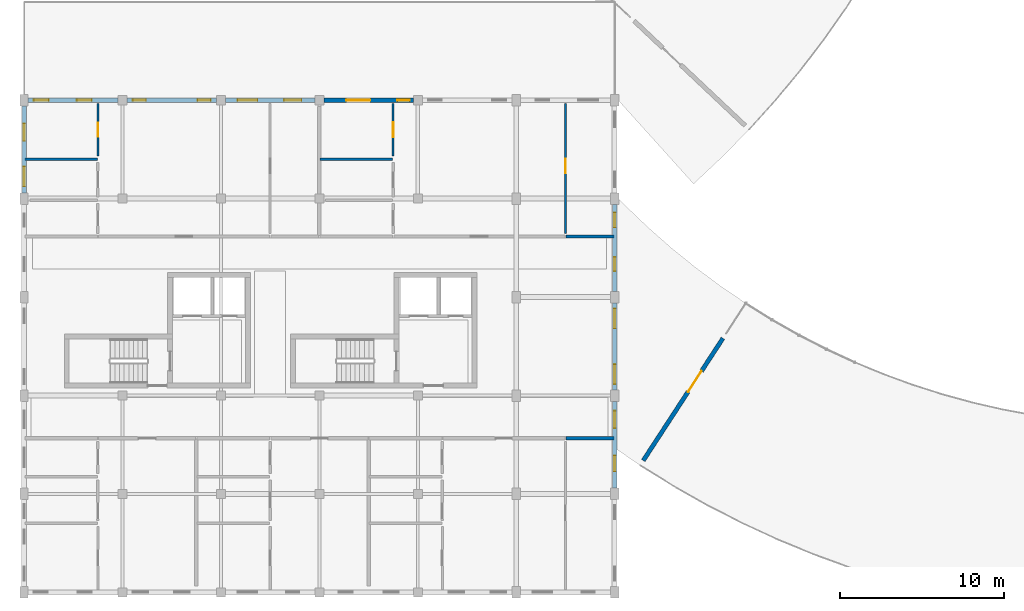
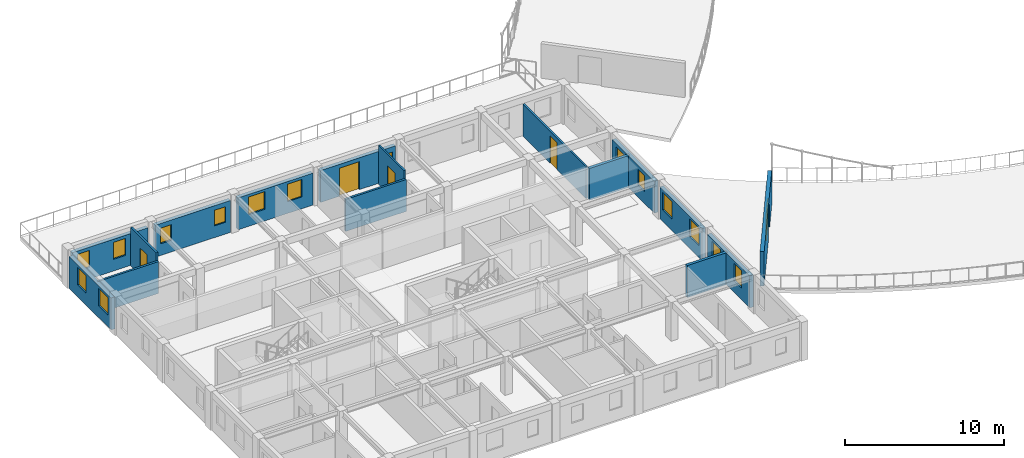
# One storey, part 28 of 58: 16 walls, 15 windows, 5 doors, 20 openings.
"""IFC4 building model written with IfcOpenShell, lengths in metres."""

from ifc_helpers import new_model, si_unit, direction, frame, frame_2d, origin, place, context, subcontext, project, spatial, rectangle, extrude, material, layer, layer_set, type_object, element, fill, save


model = new_model("IFC4")

# Units and contexts
model_context = context("Model", 3, precision=1e-05, world=origin(), true_north=direction((0.0, 1.0)))
body_context = subcontext(model_context, "Body", "Model", "MODEL_VIEW")
ifc_project = project(units=[si_unit("LENGTHUNIT", "METRE"), si_unit("AREAUNIT", "SQUARE_METRE"), si_unit("VOLUMEUNIT", "CUBIC_METRE"), si_unit("PLANEANGLEUNIT", "RADIAN"), si_unit("MASSUNIT", "GRAM", prefix="KILO"), si_unit("POWERUNIT", "WATT"), si_unit("THERMODYNAMICTEMPERATUREUNIT", "KELVIN")], contexts=[model_context])

# Site, building, storey
site_placement = place(None, origin())
site = spatial("IfcSite", under=ifc_project, at=site_placement, CompositionType="ELEMENT")
building_placement = place(site_placement, origin())
building = spatial("IfcBuilding", under=site, at=building_placement, Name="Ruvembo Vaulted Housing Court", CompositionType="ELEMENT")
storey_placement = place(building_placement, frame((0.0, 0.0, 20.5)))
storey = spatial("IfcBuildingStorey", under=building, at=storey_placement, Name="L06", CompositionType="ELEMENT", Elevation=20.5)

# Walls
ifc_material_1 = material(Name="Concrete Blockwork 200", Category="masonry")
ifc_layer_1 = layer(ifc_material_1, 0.199951171875, Name="Concrete Blockwork 200")
ifc_layer_set_1 = layer_set([ifc_layer_1], Name="Concrete Blockwork 200")
wall_type_1 = type_object("IfcWallType", Name="WL-CORR-200", PredefinedType="SOLIDWALL", material=ifc_layer_set_1)
for number, where, z_axis, x_axis, name in (
    (1, (33.0400390625, 15.39990234375, 0.0), (0.0, 0.0, 1.0), (1.0, 0.0, 0.0), "L06 Flat A-L06-S3 Corridor Wall 2 WL-INT-L06-01713"),
    (2, (33.0400390625, 27.699951171875, 0.0), (0.0, 0.0, 1.0), (1.0, 0.0, 0.0), "L06 Flat A-L06-N2 Corridor Wall 2 WL-INT-L06-01732"),
):
    element("IfcWall", number, at=place(storey_placement, frame(where, z_axis=z_axis, x_axis=x_axis)), inside=storey, type_object=wall_type_1, Name=name, PredefinedType="SOLIDWALL", context=body_context, shape_type="SweptSolid", body=[
        extrude(rectangle(XDim=2.919921875, YDim=0.199951171875, at=frame_2d((1.4599609375, 0.0))), origin(), (0.0, 0.0, 1.0), 2.451904296875),
    ])

# Wall, opening, door
ifc_material_2 = material(Name="Rendered Masonry 260", Category="masonry")
ifc_layer_2 = layer(ifc_material_2, 0.260009765625, Name="Rendered Masonry 260")
ifc_layer_set_2 = layer_set([ifc_layer_2], Name="Rendered Masonry 260")
wall_type_2 = type_object("IfcWallType", Name="WL-EXT-260", PredefinedType="STANDARD", material=ifc_layer_set_2)
wall_1_placement = place(storey_placement, frame((42.602294921875, 21.4921875, 0.0), z_axis=(0.0, 0.0, 1.0), x_axis=(-0.545946417943, -0.837820093299, 0.0)))
wall_1 = element("IfcWall", 3, at=wall_1_placement, inside=storey, type_object=wall_type_2, Name="Scoop SC2 L06 Terrace Threshold Wall", PredefinedType="STANDARD", context=body_context, shape_type="SweptSolid", body=[
    extrude(rectangle(XDim=8.89990234375, YDim=0.260009765625, at=frame_2d((4.449951171875, 0.0))), origin(), (0.0, 0.0, 1.0), 2.64990234375),
])
opening_1_placement = place(wall_1_placement, frame((2.39990234375, 0.0, 0.0)))
opening_1 = element("IfcOpeningElement", 4, at=opening_1_placement, cuts=wall_1, Name="Opening TD1", PredefinedType="OPENING", context=body_context, shape_type="SweptSolid", body=[
    extrude(rectangle(XDim=1.5, YDim=2.14990234375, at=frame_2d((0.75, 1.074951171875))), frame((0.0, 0.139892578125, 0.0), z_axis=(0.0, -1.0, 0.0), x_axis=(1.0, 0.0, 0.0)), (0.0, 0.0, 1.0), 0.280029296875),
])
ifc_material_3 = material(Name="Thermally Broken Glazed Aluminium", Category="aluminium")
door_type_1 = type_object("IfcDoorType", Name="DR-TER-1500x2150", OperationType="NOTDEFINED", PredefinedType="DOOR", material=ifc_material_3)
door_1_placement = place(opening_1_placement, origin())
door_1 = element("IfcDoor", 5, at=door_1_placement, inside=storey, type_object=door_type_1, Name="Scoop SC2 L06 Roof Terrace Access Door", OperationType="SINGLE_SWING_RIGHT", OverallHeight=2.14990234375, OverallWidth=1.5, PredefinedType="DOOR", context=body_context, shape_type="SweptSolid", body=[
    extrude(rectangle(XDim=1.5, YDim=2.14990234375, at=frame_2d((0.75, 1.074951171875))), frame((0.0, 0.02490234375, 0.0), z_axis=(0.0, -1.0, 0.0), x_axis=(1.0, 0.0, 0.0)), (0.0, 0.0, 1.0), 0.050048828125),
])
fill(opening_1, door_1)

# Wall, openings, windows
ifc_material_4 = material(Name="Rendered Masonry 270", Category="masonry")
ifc_layer_3 = layer(ifc_material_4, 0.27001953125, Name="Rendered Masonry 270")
ifc_layer_set_3 = layer_set([ifc_layer_3], Name="Rendered Masonry 270")
wall_type_3 = type_object("IfcWallType", Name="WL-EXT-270", PredefinedType="STANDARD", material=ifc_layer_set_3)
wall_2_placement = place(storey_placement, frame((36.0, 12.35009765625, 0.0), z_axis=(0.0, 0.0, 1.0), x_axis=(0.0, 1.0, 0.0)))
wall_2 = element("IfcWall", 6, at=wall_2_placement, inside=storey, type_object=wall_type_3, Name="Block A L06 Exterior Wall EAST #2", PredefinedType="STANDARD", context=body_context, shape_type="SweptSolid", body=[
    extrude(rectangle(XDim=5.2998046875, YDim=0.27001953125, at=frame_2d((2.64990234375, 0.0))), origin(), (0.0, 0.0, 1.0), 2.451904296875),
])
opening_2_placement = place(wall_2_placement, frame((1.030029296875, 0.0, 0.89990234375)))
opening_2 = element("IfcOpeningElement", 7, at=opening_2_placement, cuts=wall_2, Name="Opening W07", PredefinedType="OPENING", context=body_context, shape_type="SweptSolid", body=[
    extrude(rectangle(XDim=0.949951171875, YDim=1.35009765625, at=frame_2d((0.47509765625, 0.675048828125))), frame((0.0, 0.14501953125, 0.0), z_axis=(0.0, -1.0, 0.0), x_axis=(1.0, 0.0, 0.0)), (0.0, 0.0, 1.0), 0.2900390625),
])
opening_3_placement = place(wall_2_placement, frame((3.669921875, 0.0, 0.89990234375)))
opening_3 = element("IfcOpeningElement", 8, at=opening_3_placement, cuts=wall_2, Name="Opening W09", PredefinedType="OPENING", context=body_context, shape_type="SweptSolid", body=[
    extrude(rectangle(XDim=1.050048828125, YDim=1.35009765625, at=frame_2d((0.52490234375, 0.675048828125))), frame((0.0, 0.14501953125, 0.0), z_axis=(0.0, -1.0, 0.0), x_axis=(1.0, 0.0, 0.0)), (0.0, 0.0, 1.0), 0.2900390625),
])
ifc_material_5 = material(Name="Double Solar-Control Glazing in Aluminium Frame", Category="aluminium")
window_type_1 = type_object("IfcWindowType", Name="WIN-0950x1350", PartitioningType="SINGLE_PANEL", PredefinedType="WINDOW", material=ifc_material_5)
window_1_placement = place(opening_2_placement, origin())
window_1 = element("IfcWindow", 9, at=window_1_placement, inside=storey, type_object=window_type_1, Name="Block A L06 Window #267", OverallHeight=1.35009765625, OverallWidth=0.949951171875, PartitioningType="SINGLE_PANEL", PredefinedType="WINDOW", context=body_context, shape_type="SweptSolid", body=[
    extrude(rectangle(XDim=0.949951171875, YDim=1.35009765625, at=frame_2d((0.47509765625, 0.675048828125))), frame((0.0, 0.030029296875, 0.0), z_axis=(0.0, -1.0, 0.0), x_axis=(1.0, 0.0, 0.0)), (0.0, 0.0, 1.0), 0.06005859375),
])
fill(opening_2, window_1)
window_type_2 = type_object("IfcWindowType", Name="WIN-1050x1350", PartitioningType="SINGLE_PANEL", PredefinedType="WINDOW", material=ifc_material_5)
window_2_placement = place(opening_3_placement, origin())
window_2 = element("IfcWindow", 10, at=window_2_placement, inside=storey, type_object=window_type_2, Name="Block A L06 Window #268", OverallHeight=1.35009765625, OverallWidth=1.050048828125, PartitioningType="SINGLE_PANEL", PredefinedType="WINDOW", context=body_context, shape_type="SweptSolid", body=[
    extrude(rectangle(XDim=1.050048828125, YDim=1.35009765625, at=frame_2d((0.52490234375, 0.675048828125))), frame((0.0, 0.030029296875, 0.0), z_axis=(0.0, -1.0, 0.0), x_axis=(1.0, 0.0, 0.0)), (0.0, 0.0, 1.0), 0.06005859375),
])
fill(opening_3, window_2)

wall_3_placement = place(storey_placement, frame((36.0, 18.35009765625, 0.0), z_axis=(0.0, 0.0, 1.0), x_axis=(0.0, 1.0, 0.0)))
wall_3 = element("IfcWall", 11, at=wall_3_placement, inside=storey, type_object=wall_type_3, Name="Block A L06 Exterior Wall EAST #3", PredefinedType="STANDARD", context=body_context, shape_type="SweptSolid", body=[
    extrude(rectangle(XDim=5.2998046875, YDim=0.27001953125, at=frame_2d((2.64990234375, 0.0))), origin(), (0.0, 0.0, 1.0), 2.451904296875),
])
opening_4_placement = place(wall_3_placement, frame((0.35009765625, 0.0, 0.89990234375)))
opening_4 = element("IfcOpeningElement", 12, at=opening_4_placement, cuts=wall_3, Name="Opening W12", PredefinedType="OPENING", context=body_context, shape_type="SweptSolid", body=[
    extrude(rectangle(XDim=1.199951171875, YDim=1.35009765625, at=frame_2d((0.60009765625, 0.675048828125))), frame((0.0, 0.14501953125, 0.0), z_axis=(0.0, -1.0, 0.0), x_axis=(1.0, 0.0, 0.0)), (0.0, 0.0, 1.0), 0.2900390625),
])
opening_5_placement = place(wall_3_placement, frame((3.75, 0.0, 0.89990234375)))
opening_5 = element("IfcOpeningElement", 13, at=opening_5_placement, cuts=wall_3, Name="Opening W12", PredefinedType="OPENING", context=body_context, shape_type="SweptSolid", body=[
    extrude(rectangle(XDim=1.199951171875, YDim=1.35009765625, at=frame_2d((0.60009765625, 0.675048828125))), frame((0.0, 0.14501953125, 0.0), z_axis=(0.0, -1.0, 0.0), x_axis=(1.0, 0.0, 0.0)), (0.0, 0.0, 1.0), 0.2900390625),
])
window_type_3 = type_object("IfcWindowType", Name="WIN-1200x1350", PartitioningType="SINGLE_PANEL", PredefinedType="WINDOW", material=ifc_material_5)
window_3_placement = place(opening_4_placement, origin())
window_3 = element("IfcWindow", 14, at=window_3_placement, inside=storey, type_object=window_type_3, Name="Block A L06 Window #269", OverallHeight=1.35009765625, OverallWidth=1.199951171875, PartitioningType="SINGLE_PANEL", PredefinedType="WINDOW", context=body_context, shape_type="SweptSolid", body=[
    extrude(rectangle(XDim=1.199951171875, YDim=1.35009765625, at=frame_2d((0.60009765625, 0.675048828125))), frame((0.0, 0.030029296875, 0.0), z_axis=(0.0, -1.0, 0.0), x_axis=(1.0, 0.0, 0.0)), (0.0, 0.0, 1.0), 0.06005859375),
])
fill(opening_4, window_3)
window_4_placement = place(opening_5_placement, origin())
window_4 = element("IfcWindow", 15, at=window_4_placement, inside=storey, type_object=window_type_3, Name="Block A L06 Window #270", OverallHeight=1.35009765625, OverallWidth=1.199951171875, PartitioningType="SINGLE_PANEL", PredefinedType="WINDOW", context=body_context, shape_type="SweptSolid", body=[
    extrude(rectangle(XDim=1.199951171875, YDim=1.35009765625, at=frame_2d((0.60009765625, 0.675048828125))), frame((0.0, 0.030029296875, 0.0), z_axis=(0.0, -1.0, 0.0), x_axis=(1.0, 0.0, 0.0)), (0.0, 0.0, 1.0), 0.06005859375),
])
fill(opening_5, window_4)

wall_4_placement = place(storey_placement, frame((36.0, 24.35009765625, 0.0), z_axis=(0.0, 0.0, 1.0), x_axis=(0.0, 1.0, 0.0)))
wall_4 = element("IfcWall", 16, at=wall_4_placement, inside=storey, type_object=wall_type_3, Name="Block A L06 Exterior Wall EAST #4", PredefinedType="STANDARD", context=body_context, shape_type="SweptSolid", body=[
    extrude(rectangle(XDim=5.2998046875, YDim=0.27001953125, at=frame_2d((2.64990234375, 0.0))), origin(), (0.0, 0.0, 1.0), 2.451904296875),
])
opening_6_placement = place(wall_4_placement, frame((1.22998046875, 0.0, 0.89990234375)))
opening_6 = element("IfcOpeningElement", 17, at=opening_6_placement, cuts=wall_4, Name="Opening W03", PredefinedType="OPENING", context=body_context, shape_type="SweptSolid", body=[
    extrude(rectangle(XDim=0.85009765625, YDim=1.25, at=frame_2d((0.425048828125, 0.625))), frame((0.0, 0.14501953125, 0.0), z_axis=(0.0, -1.0, 0.0), x_axis=(1.0, 0.0, 0.0)), (0.0, 0.0, 1.0), 0.2900390625),
])
opening_7_placement = place(wall_4_placement, frame((3.89501953125, 0.0, 0.89990234375)))
opening_7 = element("IfcOpeningElement", 18, at=opening_7_placement, cuts=wall_4, Name="Opening W04", PredefinedType="OPENING", context=body_context, shape_type="SweptSolid", body=[
    extrude(rectangle(XDim=0.89990234375, YDim=1.300048828125, at=frame_2d((0.449951171875, 0.64990234375))), frame((0.0, 0.14501953125, 0.0), z_axis=(0.0, -1.0, 0.0), x_axis=(1.0, 0.0, 0.0)), (0.0, 0.0, 1.0), 0.2900390625),
])
window_type_4 = type_object("IfcWindowType", Name="WIN-0850x1250", PartitioningType="SINGLE_PANEL", PredefinedType="WINDOW", material=ifc_material_5)
window_5_placement = place(opening_6_placement, origin())
window_5 = element("IfcWindow", 19, at=window_5_placement, inside=storey, type_object=window_type_4, Name="Block A L06 Window #271", OverallHeight=1.25, OverallWidth=0.85009765625, PartitioningType="SINGLE_PANEL", PredefinedType="WINDOW", context=body_context, shape_type="SweptSolid", body=[
    extrude(rectangle(XDim=0.85009765625, YDim=1.25, at=frame_2d((0.425048828125, 0.625))), frame((0.0, 0.030029296875, 0.0), z_axis=(0.0, -1.0, 0.0), x_axis=(1.0, 0.0, 0.0)), (0.0, 0.0, 1.0), 0.06005859375),
])
fill(opening_6, window_5)
window_type_5 = type_object("IfcWindowType", Name="WIN-0900x1300", PartitioningType="SINGLE_PANEL", PredefinedType="WINDOW", material=ifc_material_5)
window_6_placement = place(opening_7_placement, origin())
window_6 = element("IfcWindow", 20, at=window_6_placement, inside=storey, type_object=window_type_5, Name="Block A L06 Window #272", OverallHeight=1.300048828125, OverallWidth=0.89990234375, PartitioningType="SINGLE_PANEL", PredefinedType="WINDOW", context=body_context, shape_type="SweptSolid", body=[
    extrude(rectangle(XDim=0.89990234375, YDim=1.300048828125, at=frame_2d((0.449951171875, 0.64990234375))), frame((0.0, 0.030029296875, 0.0), z_axis=(0.0, -1.0, 0.0), x_axis=(1.0, 0.0, 0.0)), (0.0, 0.0, 1.0), 0.06005859375),
])
fill(opening_7, window_6)

# Wall, openings, door, window
wall_5_placement = place(storey_placement, frame((23.72509765625, 36.0, 0.0), z_axis=(0.0, 0.0, 1.0), x_axis=(-1.0, 0.0, 0.0)))
wall_5 = element("IfcWall", 21, at=wall_5_placement, inside=storey, type_object=wall_type_3, Name="Block A L06 Exterior Wall COURTYARD #3", PredefinedType="STANDARD", context=body_context, shape_type="SweptSolid", body=[
    extrude(rectangle(XDim=5.4501953125, YDim=0.27001953125, at=frame_2d((2.72509765625, 0.0))), origin(), (0.0, 0.0, 1.0), 2.451904296875),
])
opening_8_placement = place(wall_5_placement, frame((2.632568359375, 0.0, 0.0)))
opening_8 = element("IfcOpeningElement", 22, at=opening_8_placement, cuts=wall_5, Name="Opening TD0", PredefinedType="OPENING", context=body_context, shape_type="SweptSolid", body=[
    extrude(rectangle(XDim=1.449951171875, YDim=2.14990234375, at=frame_2d((0.72509765625, 1.074951171875))), frame((0.0, 0.14501953125, 0.0), z_axis=(0.0, -1.0, 0.0), x_axis=(1.0, 0.0, 0.0)), (0.0, 0.0, 1.0), 0.2900390625),
])
opening_9_placement = place(wall_5_placement, frame((0.217529296875, 0.0, 0.89990234375)))
opening_9 = element("IfcOpeningElement", 23, at=opening_9_placement, cuts=wall_5, Name="Opening W01", PredefinedType="OPENING", context=body_context, shape_type="SweptSolid", body=[
    extrude(rectangle(XDim=0.75, YDim=1.14990234375, at=frame_2d((0.375, 0.574951171875))), frame((0.0, 0.14501953125, 0.0), z_axis=(0.0, -1.0, 0.0), x_axis=(1.0, 0.0, 0.0)), (0.0, 0.0, 1.0), 0.2900390625),
])
door_type_2 = type_object("IfcDoorType", Name="DR-TER-1450x2150", OperationType="NOTDEFINED", PredefinedType="DOOR", material=ifc_material_3)
door_2_placement = place(opening_8_placement, frame((1.449951171875, 0.0, 0.0), z_axis=(0.0, 0.0, 1.0), x_axis=(-1.0, 0.0, 0.0)))
door_2 = element("IfcDoor", 24, at=door_2_placement, inside=storey, type_object=door_type_2, Name="Block A L06 Terrace or Gallery Door DR-TER-A-L06-023", OperationType="SINGLE_SWING_RIGHT", OverallHeight=2.14990234375, OverallWidth=1.449951171875, PredefinedType="DOOR", context=body_context, shape_type="SweptSolid", body=[
    extrude(rectangle(XDim=1.449951171875, YDim=2.14990234375, at=frame_2d((0.72509765625, 1.074951171875))), frame((0.0, 0.02490234375, 0.0), z_axis=(0.0, -1.0, 0.0), x_axis=(1.0, 0.0, 0.0)), (0.0, 0.0, 1.0), 0.050048828125),
])
fill(opening_8, door_2)
window_type_6 = type_object("IfcWindowType", Name="WIN-0750x1150", PartitioningType="SINGLE_PANEL", PredefinedType="WINDOW", material=ifc_material_5)
window_7_placement = place(opening_9_placement, origin())
window_7 = element("IfcWindow", 25, at=window_7_placement, inside=storey, type_object=window_type_6, Name="Block A L06 Window #279", OverallHeight=1.14990234375, OverallWidth=0.75, PartitioningType="SINGLE_PANEL", PredefinedType="WINDOW", context=body_context, shape_type="SweptSolid", body=[
    extrude(rectangle(XDim=0.75, YDim=1.14990234375, at=frame_2d((0.375, 0.574951171875))), frame((0.0, 0.030029296875, 0.0), z_axis=(0.0, -1.0, 0.0), x_axis=(1.0, 0.0, 0.0)), (0.0, 0.0, 1.0), 0.06005859375),
])
fill(opening_9, window_7)

# Wall, openings, windows
wall_6_placement = place(storey_placement, frame((17.72509765625, 36.0, 0.0), z_axis=(0.0, 0.0, 1.0), x_axis=(-1.0, 0.0, 0.0)))
wall_6 = element("IfcWall", 26, at=wall_6_placement, inside=storey, type_object=wall_type_3, Name="Block A L06 Exterior Wall COURTYARD #4", PredefinedType="STANDARD", context=body_context, shape_type="SweptSolid", body=[
    extrude(rectangle(XDim=5.4501953125, YDim=0.27001953125, at=frame_2d((2.72509765625, 0.0))), origin(), (0.0, 0.0, 1.0), 2.451904296875),
])
opening_10_placement = place(wall_6_placement, frame((0.8173828125, 0.0, 0.89990234375)))
opening_10 = element("IfcOpeningElement", 27, at=opening_10_placement, cuts=wall_6, Name="Opening W09", PredefinedType="OPENING", context=body_context, shape_type="SweptSolid", body=[
    extrude(rectangle(XDim=1.050048828125, YDim=1.35009765625, at=frame_2d((0.52490234375, 0.675048828125))), frame((0.0, 0.14501953125, 0.0), z_axis=(0.0, -1.0, 0.0), x_axis=(1.0, 0.0, 0.0)), (0.0, 0.0, 1.0), 0.2900390625),
])
opening_11_placement = place(wall_6_placement, frame((3.507568359375, 0.0, 0.89990234375)))
opening_11 = element("IfcOpeningElement", 28, at=opening_11_placement, cuts=wall_6, Name="Opening W12", PredefinedType="OPENING", context=body_context, shape_type="SweptSolid", body=[
    extrude(rectangle(XDim=1.199951171875, YDim=1.35009765625, at=frame_2d((0.60009765625, 0.675048828125))), frame((0.0, 0.14501953125, 0.0), z_axis=(0.0, -1.0, 0.0), x_axis=(1.0, 0.0, 0.0)), (0.0, 0.0, 1.0), 0.2900390625),
])
window_8_placement = place(opening_10_placement, origin())
window_8 = element("IfcWindow", 29, at=window_8_placement, inside=storey, type_object=window_type_2, Name="Block A L06 Window #280", OverallHeight=1.35009765625, OverallWidth=1.050048828125, PartitioningType="SINGLE_PANEL", PredefinedType="WINDOW", context=body_context, shape_type="SweptSolid", body=[
    extrude(rectangle(XDim=1.050048828125, YDim=1.35009765625, at=frame_2d((0.52490234375, 0.675048828125))), frame((0.0, 0.030029296875, 0.0), z_axis=(0.0, -1.0, 0.0), x_axis=(1.0, 0.0, 0.0)), (0.0, 0.0, 1.0), 0.06005859375),
])
fill(opening_10, window_8)
window_9_placement = place(opening_11_placement, origin())
window_9 = element("IfcWindow", 30, at=window_9_placement, inside=storey, type_object=window_type_3, Name="Block A L06 Window #281", OverallHeight=1.35009765625, OverallWidth=1.199951171875, PartitioningType="SINGLE_PANEL", PredefinedType="WINDOW", context=body_context, shape_type="SweptSolid", body=[
    extrude(rectangle(XDim=1.199951171875, YDim=1.35009765625, at=frame_2d((0.60009765625, 0.675048828125))), frame((0.0, 0.030029296875, 0.0), z_axis=(0.0, -1.0, 0.0), x_axis=(1.0, 0.0, 0.0)), (0.0, 0.0, 1.0), 0.06005859375),
])
fill(opening_11, window_9)

wall_7_placement = place(storey_placement, frame((11.72509765625, 36.0, 0.0), z_axis=(0.0, 0.0, 1.0), x_axis=(-1.0, 0.0, 0.0)))
wall_7 = element("IfcWall", 31, at=wall_7_placement, inside=storey, type_object=wall_type_3, Name="Block A L06 Exterior Wall COURTYARD #5", PredefinedType="STANDARD", context=body_context, shape_type="SweptSolid", body=[
    extrude(rectangle(XDim=5.4501953125, YDim=0.27001953125, at=frame_2d((2.72509765625, 0.0))), origin(), (0.0, 0.0, 1.0), 2.451904296875),
])
opening_12_placement = place(wall_7_placement, frame((0.35009765625, 0.0, 0.89990234375)))
opening_12 = element("IfcOpeningElement", 32, at=opening_12_placement, cuts=wall_7, Name="Opening W02", PredefinedType="OPENING", context=body_context, shape_type="SweptSolid", body=[
    extrude(rectangle(XDim=0.800048828125, YDim=1.199951171875, at=frame_2d((0.39990234375, 0.60009765625))), frame((0.0, 0.14501953125, 0.0), z_axis=(0.0, -1.0, 0.0), x_axis=(1.0, 0.0, 0.0)), (0.0, 0.0, 1.0), 0.2900390625),
])
opening_13_placement = place(wall_7_placement, frame((4.300048828125, 0.0, 0.89990234375)))
opening_13 = element("IfcOpeningElement", 33, at=opening_13_placement, cuts=wall_7, Name="Opening W02", PredefinedType="OPENING", context=body_context, shape_type="SweptSolid", body=[
    extrude(rectangle(XDim=0.800048828125, YDim=1.199951171875, at=frame_2d((0.39990234375, 0.60009765625))), frame((0.0, 0.14501953125, 0.0), z_axis=(0.0, -1.0, 0.0), x_axis=(1.0, 0.0, 0.0)), (0.0, 0.0, 1.0), 0.2900390625),
])
window_type_7 = type_object("IfcWindowType", Name="WIN-0800x1200", PartitioningType="SINGLE_PANEL", PredefinedType="WINDOW", material=ifc_material_5)
window_10_placement = place(opening_12_placement, origin())
window_10 = element("IfcWindow", 34, at=window_10_placement, inside=storey, type_object=window_type_7, Name="Block A L06 Window #282", OverallHeight=1.199951171875, OverallWidth=0.800048828125, PartitioningType="SINGLE_PANEL", PredefinedType="WINDOW", context=body_context, shape_type="SweptSolid", body=[
    extrude(rectangle(XDim=0.800048828125, YDim=1.199951171875, at=frame_2d((0.39990234375, 0.60009765625))), frame((0.0, 0.030029296875, 0.0), z_axis=(0.0, -1.0, 0.0), x_axis=(1.0, 0.0, 0.0)), (0.0, 0.0, 1.0), 0.06005859375),
])
fill(opening_12, window_10)
window_11_placement = place(opening_13_placement, origin())
window_11 = element("IfcWindow", 35, at=window_11_placement, inside=storey, type_object=window_type_7, Name="Block A L06 Window #283", OverallHeight=1.199951171875, OverallWidth=0.800048828125, PartitioningType="SINGLE_PANEL", PredefinedType="WINDOW", context=body_context, shape_type="SweptSolid", body=[
    extrude(rectangle(XDim=0.800048828125, YDim=1.199951171875, at=frame_2d((0.39990234375, 0.60009765625))), frame((0.0, 0.030029296875, 0.0), z_axis=(0.0, -1.0, 0.0), x_axis=(1.0, 0.0, 0.0)), (0.0, 0.0, 1.0), 0.06005859375),
])
fill(opening_13, window_11)

wall_8_placement = place(storey_placement, frame((5.72509765625, 36.0, 0.0), z_axis=(0.0, 0.0, 1.0), x_axis=(-1.0, 0.0, 0.0)))
wall_8 = element("IfcWall", 36, at=wall_8_placement, inside=storey, type_object=wall_type_3, Name="Block A L06 Exterior Wall COURTYARD #6", PredefinedType="STANDARD", context=body_context, shape_type="SweptSolid", body=[
    extrude(rectangle(XDim=5.47509765625, YDim=0.27001953125, at=frame_2d((2.737548828125, 0.0))), origin(), (0.0, 0.0, 1.0), 2.451904296875),
])
opening_14_placement = place(wall_8_placement, frame((1.614990234375, 0.0, 0.89990234375)))
opening_14 = element("IfcOpeningElement", 37, at=opening_14_placement, cuts=wall_8, Name="Opening W04", PredefinedType="OPENING", context=body_context, shape_type="SweptSolid", body=[
    extrude(rectangle(XDim=0.89990234375, YDim=1.300048828125, at=frame_2d((0.449951171875, 0.64990234375))), frame((0.0, 0.14501953125, 0.0), z_axis=(0.0, -1.0, 0.0), x_axis=(1.0, 0.0, 0.0)), (0.0, 0.0, 1.0), 0.2900390625),
])
opening_15_placement = place(wall_8_placement, frame((4.22509765625, 0.0, 0.89990234375)))
opening_15 = element("IfcOpeningElement", 38, at=opening_15_placement, cuts=wall_8, Name="Opening W04", PredefinedType="OPENING", context=body_context, shape_type="SweptSolid", body=[
    extrude(rectangle(XDim=0.89990234375, YDim=1.300048828125, at=frame_2d((0.449951171875, 0.64990234375))), frame((0.0, 0.14501953125, 0.0), z_axis=(0.0, -1.0, 0.0), x_axis=(1.0, 0.0, 0.0)), (0.0, 0.0, 1.0), 0.2900390625),
])
window_12_placement = place(opening_14_placement, origin())
window_12 = element("IfcWindow", 39, at=window_12_placement, inside=storey, type_object=window_type_5, Name="Block A L06 Window #284", OverallHeight=1.300048828125, OverallWidth=0.89990234375, PartitioningType="SINGLE_PANEL", PredefinedType="WINDOW", context=body_context, shape_type="SweptSolid", body=[
    extrude(rectangle(XDim=0.89990234375, YDim=1.300048828125, at=frame_2d((0.449951171875, 0.64990234375))), frame((0.0, 0.030029296875, 0.0), z_axis=(0.0, -1.0, 0.0), x_axis=(1.0, 0.0, 0.0)), (0.0, 0.0, 1.0), 0.06005859375),
])
fill(opening_14, window_12)
window_13_placement = place(opening_15_placement, origin())
window_13 = element("IfcWindow", 40, at=window_13_placement, inside=storey, type_object=window_type_5, Name="Block A L06 Window #285", OverallHeight=1.300048828125, OverallWidth=0.89990234375, PartitioningType="SINGLE_PANEL", PredefinedType="WINDOW", context=body_context, shape_type="SweptSolid", body=[
    extrude(rectangle(XDim=0.89990234375, YDim=1.300048828125, at=frame_2d((0.449951171875, 0.64990234375))), frame((0.0, 0.030029296875, 0.0), z_axis=(0.0, -1.0, 0.0), x_axis=(1.0, 0.0, 0.0)), (0.0, 0.0, 1.0), 0.06005859375),
])
fill(opening_15, window_13)

wall_9_placement = place(storey_placement, frame((0.0, 35.64990234375, 0.0), z_axis=(0.0, 0.0, 1.0), x_axis=(0.0, -1.0, 0.0)))
wall_9 = element("IfcWall", 41, at=wall_9_placement, inside=storey, type_object=wall_type_3, Name="Block A L06 Exterior Wall WEST #1", PredefinedType="STANDARD", context=body_context, shape_type="SweptSolid", body=[
    extrude(rectangle(XDim=5.2998046875, YDim=0.27001953125, at=frame_2d((2.64990234375, 0.0))), origin(), (0.0, 0.0, 1.0), 2.451904296875),
])
opening_16_placement = place(wall_9_placement, frame((1.080078125, 0.0, 0.89990234375)))
opening_16 = element("IfcOpeningElement", 42, at=opening_16_placement, cuts=wall_9, Name="Opening W09", PredefinedType="OPENING", context=body_context, shape_type="SweptSolid", body=[
    extrude(rectangle(XDim=1.050048828125, YDim=1.35009765625, at=frame_2d((0.52490234375, 0.675048828125))), frame((0.0, 0.14501953125, 0.0), z_axis=(0.0, -1.0, 0.0), x_axis=(1.0, 0.0, 0.0)), (0.0, 0.0, 1.0), 0.2900390625),
])
opening_17_placement = place(wall_9_placement, frame((3.695068359375, 0.0, 0.89990234375)))
opening_17 = element("IfcOpeningElement", 43, at=opening_17_placement, cuts=wall_9, Name="Opening W12", PredefinedType="OPENING", context=body_context, shape_type="SweptSolid", body=[
    extrude(rectangle(XDim=1.199951171875, YDim=1.35009765625, at=frame_2d((0.60009765625, 0.675048828125))), frame((0.0, 0.14501953125, 0.0), z_axis=(0.0, -1.0, 0.0), x_axis=(1.0, 0.0, 0.0)), (0.0, 0.0, 1.0), 0.2900390625),
])
window_14_placement = place(opening_16_placement, origin())
window_14 = element("IfcWindow", 44, at=window_14_placement, inside=storey, type_object=window_type_2, Name="Block A L06 Window #286", OverallHeight=1.35009765625, OverallWidth=1.050048828125, PartitioningType="SINGLE_PANEL", PredefinedType="WINDOW", context=body_context, shape_type="SweptSolid", body=[
    extrude(rectangle(XDim=1.050048828125, YDim=1.35009765625, at=frame_2d((0.52490234375, 0.675048828125))), frame((0.0, 0.030029296875, 0.0), z_axis=(0.0, -1.0, 0.0), x_axis=(1.0, 0.0, 0.0)), (0.0, 0.0, 1.0), 0.06005859375),
])
fill(opening_16, window_14)
window_15_placement = place(opening_17_placement, origin())
window_15 = element("IfcWindow", 45, at=window_15_placement, inside=storey, type_object=window_type_3, Name="Block A L06 Window #287", OverallHeight=1.35009765625, OverallWidth=1.199951171875, PartitioningType="SINGLE_PANEL", PredefinedType="WINDOW", context=body_context, shape_type="SweptSolid", body=[
    extrude(rectangle(XDim=1.199951171875, YDim=1.35009765625, at=frame_2d((0.60009765625, 0.675048828125))), frame((0.0, 0.030029296875, 0.0), z_axis=(0.0, -1.0, 0.0), x_axis=(1.0, 0.0, 0.0)), (0.0, 0.0, 1.0), 0.06005859375),
])
fill(opening_17, window_15)

# Wall, opening, door
ifc_material_6 = material(Name="Plasterboard Stud Partition 125", Category="gypsum")
ifc_layer_4 = layer(ifc_material_6, 0.125, Name="Plasterboard Stud Partition 125")
ifc_layer_set_4 = layer_set([ifc_layer_4], Name="Plasterboard Stud Partition 125")
wall_type_4 = type_object("IfcWallType", Name="WL-PART-125", PredefinedType="PARTITIONING", material=ifc_layer_set_4)
wall_10_placement = place(storey_placement, frame((4.5, 32.590087890625, 0.0), z_axis=(0.0, 0.0, 1.0), x_axis=(0.0, 1.0, 0.0)))
wall_10 = element("IfcWall", 46, at=wall_10_placement, inside=storey, type_object=wall_type_4, Name="L06 Flat A-L06-N1 Bedroom 1 WL-INT-L06-01718", PredefinedType="PARTITIONING", context=body_context, shape_type="SweptSolid", body=[
    extrude(rectangle(XDim=3.219970703125, YDim=0.125, at=frame_2d((1.60986328125, 0.0))), origin(), (0.0, 0.0, 1.0), 2.969970703125),
])
opening_18_placement = place(wall_10_placement, frame((1.169921875, 0.0, 0.0)))
opening_18 = element("IfcOpeningElement", 47, at=opening_18_placement, cuts=wall_10, Name="Opening ID3", PredefinedType="OPENING", context=body_context, shape_type="SweptSolid", body=[
    extrude(rectangle(XDim=0.8798828125, YDim=2.10009765625, at=frame_2d((0.43994140625, 1.050048828125))), frame((0.0, 0.072509765625, 0.0), z_axis=(0.0, -1.0, 0.0), x_axis=(1.0, 0.0, 0.0)), (0.0, 0.0, 1.0), 0.14501953125),
])
ifc_material_7 = material(Name="FSC Hardwood and Engineered Timber", Category="wood")
door_type_3 = type_object("IfcDoorType", Name="DR-ROOM-0880x2100", OperationType="NOTDEFINED", PredefinedType="DOOR", material=ifc_material_7)
door_3_placement = place(opening_18_placement, origin())
door_3 = element("IfcDoor", 48, at=door_3_placement, inside=storey, type_object=door_type_3, Name="L06 Flat A-L06-N1 Bedroom 1 Door DR-INT-L06-00973", OperationType="SINGLE_SWING_LEFT", OverallHeight=2.10009765625, OverallWidth=0.8798828125, PredefinedType="DOOR", context=body_context, shape_type="SweptSolid", body=[
    extrude(rectangle(XDim=0.8798828125, YDim=2.10009765625, at=frame_2d((0.43994140625, 1.050048828125))), frame((0.0, 0.02490234375, 0.0), z_axis=(0.0, -1.0, 0.0), x_axis=(1.0, 0.0, 0.0)), (0.0, 0.0, 1.0), 0.050048828125),
])
fill(opening_18, door_3)

wall_11_placement = place(storey_placement, frame((22.5, 32.590087890625, 0.0), z_axis=(0.0, 0.0, 1.0), x_axis=(0.0, 1.0, 0.0)))
wall_11 = element("IfcWall", 49, at=wall_11_placement, inside=storey, type_object=wall_type_4, Name="L06 Flat A-L06-N2 Bedroom 1 WL-INT-L06-01727", PredefinedType="PARTITIONING", context=body_context, shape_type="SweptSolid", body=[
    extrude(rectangle(XDim=3.219970703125, YDim=0.125, at=frame_2d((1.60986328125, 0.0))), origin(), (0.0, 0.0, 1.0), 2.969970703125),
])
opening_19_placement = place(wall_11_placement, frame((1.159912109375, 0.0, 0.0)))
opening_19 = element("IfcOpeningElement", 50, at=opening_19_placement, cuts=wall_11, Name="Opening ID1", PredefinedType="OPENING", context=body_context, shape_type="SweptSolid", body=[
    extrude(rectangle(XDim=0.89990234375, YDim=2.10009765625, at=frame_2d((0.449951171875, 1.050048828125))), frame((0.0, 0.072509765625, 0.0), z_axis=(0.0, -1.0, 0.0), x_axis=(1.0, 0.0, 0.0)), (0.0, 0.0, 1.0), 0.14501953125),
])
door_type_4 = type_object("IfcDoorType", Name="DR-ROOM-0900x2100", OperationType="NOTDEFINED", PredefinedType="DOOR", material=ifc_material_7)
door_4_placement = place(opening_19_placement, origin())
door_4 = element("IfcDoor", 51, at=door_4_placement, inside=storey, type_object=door_type_4, Name="L06 Flat A-L06-N2 Bedroom 1 Door DR-INT-L06-00978", OperationType="SINGLE_SWING_RIGHT", OverallHeight=2.10009765625, OverallWidth=0.89990234375, PredefinedType="DOOR", context=body_context, shape_type="SweptSolid", body=[
    extrude(rectangle(XDim=0.89990234375, YDim=2.10009765625, at=frame_2d((0.449951171875, 1.050048828125))), frame((0.0, 0.02490234375, 0.0), z_axis=(0.0, -1.0, 0.0), x_axis=(1.0, 0.0, 0.0)), (0.0, 0.0, 1.0), 0.050048828125),
])
fill(opening_19, door_4)

wall_12_placement = place(storey_placement, frame((33.0, 27.889892578125, 0.0), z_axis=(0.0, 0.0, 1.0), x_axis=(0.0, 1.0, 0.0)))
wall_12 = element("IfcWall", 52, at=wall_12_placement, inside=storey, type_object=wall_type_4, Name="L06 Flat A-L06-N2 Bedroom 2 WL-INT-L06-01733", PredefinedType="PARTITIONING", context=body_context, shape_type="SweptSolid", body=[
    extrude(rectangle(XDim=7.920166015625, YDim=0.125, at=frame_2d((3.9599609375, 0.0))), origin(), (0.0, 0.0, 1.0), 2.451904296875),
])
opening_20_placement = place(wall_12_placement, frame((3.64990234375, 0.0, 0.0)))
opening_20 = element("IfcOpeningElement", 53, at=opening_20_placement, cuts=wall_12, Name="Opening ID3", PredefinedType="OPENING", context=body_context, shape_type="SweptSolid", body=[
    extrude(rectangle(XDim=0.8798828125, YDim=2.10009765625, at=frame_2d((0.43994140625, 1.050048828125))), frame((0.0, 0.072509765625, 0.0), z_axis=(0.0, -1.0, 0.0), x_axis=(1.0, 0.0, 0.0)), (0.0, 0.0, 1.0), 0.14501953125),
])
door_5_placement = place(opening_20_placement, origin())
door_5 = element("IfcDoor", 54, at=door_5_placement, inside=storey, type_object=door_type_3, Name="L06 Flat A-L06-N2 Bedroom 2 Door DR-INT-L06-00981", OperationType="SINGLE_SWING_LEFT", OverallHeight=2.10009765625, OverallWidth=0.8798828125, PredefinedType="DOOR", context=body_context, shape_type="SweptSolid", body=[
    extrude(rectangle(XDim=0.8798828125, YDim=2.10009765625, at=frame_2d((0.43994140625, 1.050048828125))), frame((0.0, 0.02490234375, 0.0), z_axis=(0.0, -1.0, 0.0), x_axis=(1.0, 0.0, 0.0)), (0.0, 0.0, 1.0), 0.050048828125),
])
fill(opening_20, door_5)

# Walls
ifc_material_8 = material(Name="Moisture-Resistant Wet Partition 150", Category="gypsum")
ifc_layer_5 = layer(ifc_material_8, 0.14990234375, Name="Moisture-Resistant Wet Partition 150")
ifc_layer_set_5 = layer_set([ifc_layer_5], Name="Moisture-Resistant Wet Partition 150")
wall_type_5 = type_object("IfcWallType", Name="WL-PART-150", PredefinedType="PARTITIONING", material=ifc_layer_set_5)
wall_13_placement = place(storey_placement, frame((0.0400390625, 32.39990234375, 0.0), z_axis=(0.0, 0.0, 1.0), x_axis=(1.0, 0.0, 0.0)))
element("IfcWall", 55, at=wall_13_placement, inside=storey, type_object=wall_type_5, Name="L06 Flat A-L06-N1 Wet Wall 1 WL-INT-L06-01721", PredefinedType="PARTITIONING", context=body_context, shape_type="SweptSolid", body=[
    extrude(rectangle(XDim=4.419921875, YDim=0.14990234375, at=frame_2d((2.2099609375, 0.0))), origin(), (0.0, 0.0, 1.0), 2.451904296875),
])
wall_14_placement = place(storey_placement, frame((18.0400390625, 32.39990234375, 0.0), z_axis=(0.0, 0.0, 1.0), x_axis=(1.0, 0.0, 0.0)))
element("IfcWall", 56, at=wall_14_placement, inside=storey, type_object=wall_type_5, Name="L06 Flat A-L06-N2 Wet Wall 1 WL-INT-L06-01730", PredefinedType="PARTITIONING", context=body_context, shape_type="SweptSolid", body=[
    extrude(rectangle(XDim=4.419921875, YDim=0.14990234375, at=frame_2d((2.2099609375, 0.0))), origin(), (0.0, 0.0, 1.0), 2.4580078125),
])

save(model, "model.ifc")
